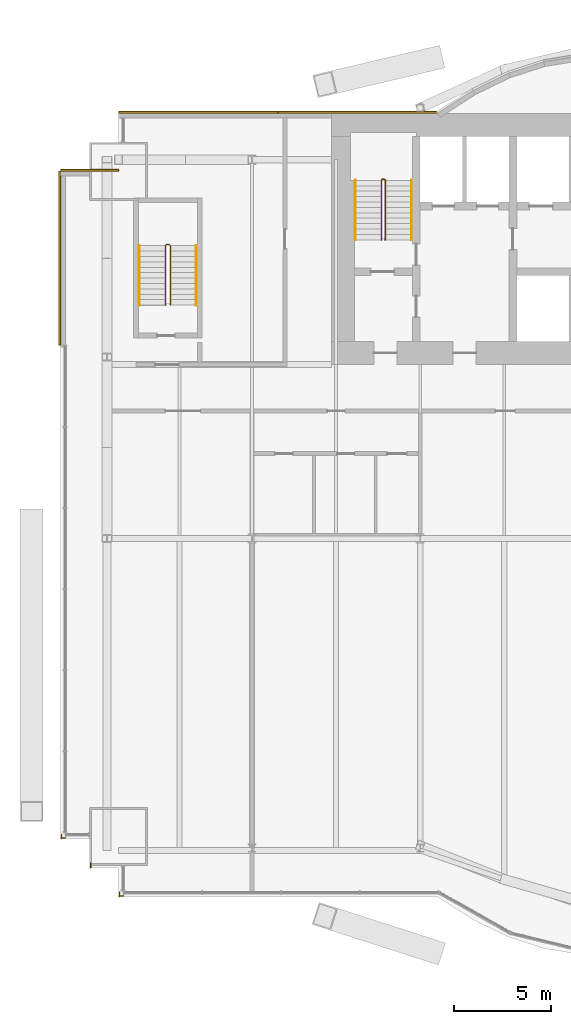
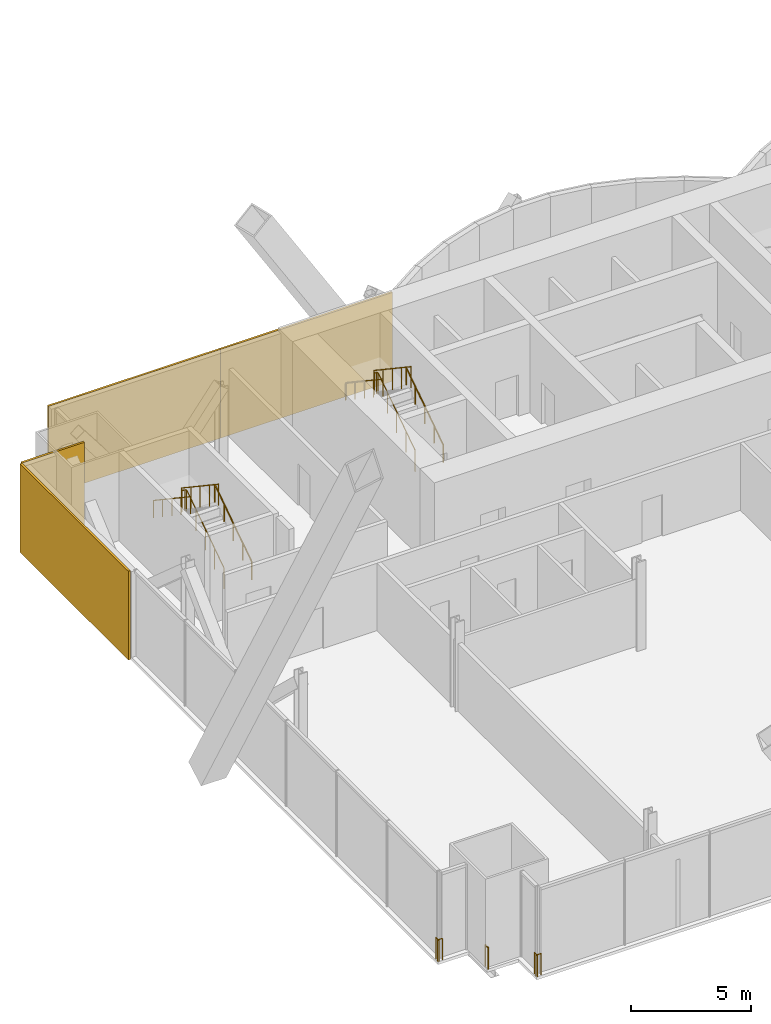
# One storey, part 21 of 23: 9 railings, 4 coverings.
"""IFC4 building model written with IfcOpenShell, lengths in metres."""

from ifc_helpers import new_model, si_unit, direction, frame, origin, origin_2d, place, context, subcontext, project, spatial, rectangle, circle, extrude, material, layer, layer_set, type_object, element, save


model = new_model("IFC4")

# Units and contexts
model_context = context("Model", 3, precision=1e-05, world=origin(), true_north=direction((0.0, 1.0)))
body_context = subcontext(model_context, "Body", "Model", "MODEL_VIEW")
ifc_project = project(units=[si_unit("LENGTHUNIT", "METRE"), si_unit("AREAUNIT", "SQUARE_METRE"), si_unit("VOLUMEUNIT", "CUBIC_METRE"), si_unit("PLANEANGLEUNIT", "RADIAN"), si_unit("MASSUNIT", "GRAM", prefix="KILO")], contexts=[model_context])

# Site, building, storey
site_placement = place(None, origin())
site = spatial("IfcSite", under=ifc_project, at=site_placement, CompositionType="ELEMENT")
building_placement = place(site_placement, origin())
building = spatial("IfcBuilding", under=site, at=building_placement, Name="Bicima Exchange Tower", CompositionType="ELEMENT")
storey_placement = place(building_placement, frame((0.0, 0.0, 62.0)))
storey = spatial("IfcBuildingStorey", under=building, at=storey_placement, Name="L12", CompositionType="ELEMENT", Elevation=62.0)

# Coverings
ifc_material_1 = material(Name="Bronze metal cladding")
ifc_layer_1 = layer(ifc_material_1, 0.004)
ifc_material_2 = material(Name="Ventilated cavity")
ifc_layer_2 = layer(ifc_material_2, 0.06)
ifc_material_3 = material(Name="Galvanised steel rail and mineral wool", Category="steel")
ifc_layer_3 = layer(ifc_material_3, 0.036)
ifc_layer_set = layer_set([ifc_layer_1, ifc_layer_2, ifc_layer_3], Name="Ventilated cavity")
covering_type = type_object("IfcCoveringType", Name="Bronze metal cladding panel 100", PredefinedType="CLADDING", material=ifc_layer_set)
for number, where, z_axis, x_axis, name in (
    (1, (-20.625, 0.050048828125, -0.14990234375), (0.0, 0.0, 1.0), (-1.0, 0.0, 0.0), "Bronze cladding L12 20.1"),
    (2, (-28.875, 0.050048828125, -0.14990234375), (0.0, 0.0, 1.0), (-1.0, 0.0, 0.0), "Bronze cladding L12 20.2"),
):
    element("IfcCovering", number, at=place(storey_placement, frame(where, z_axis=z_axis, x_axis=x_axis)), inside=storey, type_object=covering_type, Name=name, PredefinedType="CLADDING", context=body_context, shape_type="SweptSolid", body=[
        extrude(rectangle(XDim=8.25, YDim=0.10009765625, at=origin_2d()), origin(), (0.0, 0.0, 1.0), 4.5),
    ])
covering_1_placement = place(storey_placement, frame((-34.5, -2.949951171875, -0.14990234375), z_axis=(0.0, 0.0, 1.0), x_axis=(-1.0, 0.0, 0.0)))
element("IfcCovering", 3, at=covering_1_placement, inside=storey, type_object=covering_type, Name="Bronze cladding L12 22.1", PredefinedType="CLADDING", context=body_context, shape_type="SweptSolid", body=[
    extrude(rectangle(XDim=3.0, YDim=0.10009765625, at=origin_2d()), origin(), (0.0, 0.0, 1.0), 4.5),
])
covering_2_placement = place(storey_placement, frame((-36.050048828125, -7.5, -0.14990234375), z_axis=(0.0, 0.0, 1.0), x_axis=(0.0, -1.0, 0.0)))
element("IfcCovering", 4, at=covering_2_placement, inside=storey, type_object=covering_type, Name="Bronze cladding L12 23.1", PredefinedType="CLADDING", context=body_context, shape_type="SweptSolid", body=[
    extrude(rectangle(XDim=9.0, YDim=0.10009765625, at=origin_2d()), origin(), (0.0, 0.0, 1.0), 4.5),
])

# Railings
ifc_material_4 = material(Name="Stainless steel and bonded safety glass", Category="steel")
railing_type_1 = type_object("IfcRailingType", Name="Edge guard 1100", PredefinedType="GUARDRAIL", material=ifc_material_4)
railing_1_placement = place(storey_placement, frame((-35.75, -37.486083984375, 0.0)))
element("IfcRailing", 5, at=railing_1_placement, inside=storey, type_object=railing_type_1, Name="Edge guard L12 51", PredefinedType="GUARDRAIL", context=body_context, shape_type="SweptSolid", body=[
    extrude(circle(Radius=0.02392578125, at=origin_2d()), frame((0.0, 0.0, 1.076171875), z_axis=(-1.0, 0.0, 0.0), x_axis=(0.0, -1.0, 0.0)), (0.0, 0.0, 1.0), 0.25),
    extrude(circle(Radius=0.02392578125, at=origin_2d()), frame((-0.25, 0.0, 1.076171875), z_axis=(0.708833529934, -0.705375805398, 0.0), x_axis=(0.705375805398, 0.708833529934, 0.0)), (0.0, 0.0, 1.0), 0.070556640625),
    extrude(circle(Radius=0.02392578125, at=origin_2d()), frame((-0.199951171875, -0.0498046875, 1.076171875), z_axis=(0.0, 1.0, 0.0), x_axis=(-1.0, 0.0, 0.0)), (0.0, 0.0, 1.0), 0.247802734375),
    extrude(circle(Radius=0.02099609375, at=origin_2d()), origin(), (0.0, 0.0, 1.0), 1.052001953125),
    extrude(circle(Radius=0.02099609375, at=origin_2d()), frame((-0.25, 0.0, 0.0)), (0.0, 0.0, 1.0), 1.052001953125),
    extrude(circle(Radius=0.02099609375, at=origin_2d()), frame((-0.199951171875, -0.0498046875, 0.0)), (0.0, 0.0, 1.0), 1.052001953125),
    extrude(circle(Radius=0.02099609375, at=origin_2d()), frame((-0.199951171875, 0.197998046875, 0.0)), (0.0, 0.0, 1.0), 1.052001953125),
])
railing_2_placement = place(storey_placement, frame((-32.75, -40.486083984375, 0.0)))
element("IfcRailing", 6, at=railing_2_placement, inside=storey, type_object=railing_type_1, Name="Edge guard L12 55", PredefinedType="GUARDRAIL", context=body_context, shape_type="SweptSolid", body=[
    extrude(circle(Radius=0.02392578125, at=origin_2d()), frame((0.0, 0.0, 1.076171875), z_axis=(-1.0, 0.0, 0.0), x_axis=(0.0, -1.0, 0.0)), (0.0, 0.0, 1.0), 0.25),
    extrude(circle(Radius=0.02392578125, at=origin_2d()), frame((-0.25, 0.0, 1.076171875), z_axis=(0.708833529934, -0.705375805398, 0.0), x_axis=(0.705375805398, 0.708833529934, 0.0)), (0.0, 0.0, 1.0), 0.070556640625),
    extrude(circle(Radius=0.02392578125, at=origin_2d()), frame((-0.199951171875, -0.0498046875, 1.076171875), z_axis=(0.0, 1.0, 0.0), x_axis=(-1.0, 0.0, 0.0)), (0.0, 0.0, 1.0), 0.25),
    extrude(circle(Radius=0.02099609375, at=origin_2d()), origin(), (0.0, 0.0, 1.0), 1.052001953125),
    extrude(circle(Radius=0.02099609375, at=origin_2d()), frame((-0.25, 0.0, 0.0)), (0.0, 0.0, 1.0), 1.052001953125),
    extrude(circle(Radius=0.02099609375, at=origin_2d()), frame((-0.199951171875, -0.0498046875, 0.0)), (0.0, 0.0, 1.0), 1.052001953125),
    extrude(circle(Radius=0.02099609375, at=origin_2d()), frame((-0.199951171875, 0.2001953125, 0.0)), (0.0, 0.0, 1.0), 1.052001953125),
])
railing_3_placement = place(storey_placement, frame((-34.449951171875, -39.035888671875, 0.0)))
element("IfcRailing", 7, at=railing_3_placement, inside=storey, type_object=railing_type_1, Name="Edge guard L12 56", PredefinedType="GUARDRAIL", context=body_context, shape_type="SweptSolid", body=[
    extrude(circle(Radius=0.02392578125, at=origin_2d()), frame((0.0, 0.0, 1.076171875), z_axis=(0.0, 1.0, 0.0), x_axis=(-1.0, 0.0, 0.0)), (0.0, 0.0, 1.0), 0.25),
    extrude(circle(Radius=0.02099609375, at=origin_2d()), origin(), (0.0, 0.0, 1.0), 1.052001953125),
    extrude(circle(Radius=0.02099609375, at=origin_2d()), frame((0.0, 0.25, 0.0)), (0.0, 0.0, 1.0), 1.052001953125),
])
ifc_material_5 = material(Name="Stainless steel", Category="steel")
railing_type_2 = type_object("IfcRailingType", Name="Stair guard 1100", PredefinedType="GUARDRAIL", material=ifc_material_5)
railing_4_placement = place(storey_placement, frame((-19.199951171875, -6.550048828125, 0.1875)))
element("IfcRailing", 8, at=railing_4_placement, inside=storey, type_object=railing_type_2, Name="L12 ST-W stair guard 1", PredefinedType="GUARDRAIL", context=body_context, shape_type="SweptSolid", body=[
    extrude(circle(Radius=0.02392578125, at=origin_2d()), frame((0.0, 0.0, 1.076171875), z_axis=(0.0, 0.830913701846, 0.55640131208), x_axis=(-1.0, 0.0, 0.0)), (0.0, 0.0, 1.0), 3.706787109375),
    extrude(circle(Radius=0.02392578125, at=origin_2d()), frame((0.0, 3.080078125, 3.138671875), z_axis=(-0.707106781187, 0.707106781187, 0.0), x_axis=(-0.707106781187, -0.707106781187, 0.0)), (0.0, 0.0, 1.0), 0.07080078125),
    extrude(circle(Radius=0.02392578125, at=origin_2d()), frame((-0.050048828125, 3.130126953125, 3.138671875), z_axis=(-1.0, 0.0, 0.0), x_axis=(0.0, -1.0, 0.0)), (0.0, 0.0, 1.0), 0.10009765625),
    extrude(circle(Radius=0.02392578125, at=origin_2d()), frame((-0.150146484375, 3.130126953125, 3.138671875), z_axis=(-0.248583702486, -0.249802250048, 0.935844527007), x_axis=(0.708833529934, -0.705375805398, 0.0)), (0.0, 0.0, 1.0), 0.200439453125),
    extrude(circle(Radius=0.02392578125, at=origin_2d()), frame((-0.199951171875, 3.080078125, 3.326171875), z_axis=(0.0, -0.830913701846, 0.55640131208), x_axis=(1.0, 0.0, 0.0)), (0.0, 0.0, 1.0), 3.706787109375),
    extrude(circle(Radius=0.02099609375, at=origin_2d()), origin(), (0.0, 0.0, 1.0), 1.052001953125),
    extrude(circle(Radius=0.02099609375, at=origin_2d()), frame((0.0, 0.77001953125, 0.515625)), (0.0, 0.0, 1.0), 1.052001953125),
    extrude(circle(Radius=0.02099609375, at=origin_2d()), frame((0.0, 1.5400390625, 1.03125)), (0.0, 0.0, 1.0), 1.052001953125),
    extrude(circle(Radius=0.02099609375, at=origin_2d()), frame((0.0, 2.31005859375, 1.546875)), (0.0, 0.0, 1.0), 1.052001953125),
    extrude(circle(Radius=0.02099609375, at=origin_2d()), frame((0.0, 3.080078125, 2.0625)), (0.0, 0.0, 1.0), 1.052001953125),
    extrude(circle(Radius=0.02099609375, at=origin_2d()), frame((-0.050048828125, 3.130126953125, 2.0625)), (0.0, 0.0, 1.0), 1.052001953125),
    extrude(circle(Radius=0.02099609375, at=origin_2d()), frame((-0.150146484375, 3.130126953125, 2.0625)), (0.0, 0.0, 1.0), 1.052001953125),
    extrude(circle(Radius=0.02099609375, at=origin_2d()), frame((-0.199951171875, 3.080078125, 2.25)), (0.0, 0.0, 1.0), 1.052001953125),
    extrude(circle(Radius=0.02099609375, at=origin_2d()), frame((-0.199951171875, 2.31005859375, 2.765625)), (0.0, 0.0, 1.0), 1.052001953125),
    extrude(circle(Radius=0.02099609375, at=origin_2d()), frame((-0.199951171875, 1.5400390625, 3.28125)), (0.0, 0.0, 1.0), 1.052001953125),
    extrude(circle(Radius=0.02099609375, at=origin_2d()), frame((-0.199951171875, 0.77001953125, 3.796875)), (0.0, 0.0, 1.0), 1.052001953125),
    extrude(circle(Radius=0.02099609375, at=origin_2d()), frame((-0.199951171875, 0.0, 4.3125)), (0.0, 0.0, 1.0), 1.052001953125),
])
railing_5_placement = place(storey_placement, frame((-30.324951171875, -9.925048828125, 0.1875)))
element("IfcRailing", 9, at=railing_5_placement, inside=storey, type_object=railing_type_2, Name="L12 ST-WW stair guard 1", PredefinedType="GUARDRAIL", context=body_context, shape_type="SweptSolid", body=[
    extrude(circle(Radius=0.02392578125, at=origin_2d()), frame((0.0, 0.0, 1.076171875), z_axis=(0.0, 0.830913701846, 0.55640131208), x_axis=(-1.0, 0.0, 0.0)), (0.0, 0.0, 1.0), 3.706787109375),
    extrude(circle(Radius=0.02392578125, at=origin_2d()), frame((0.0, 3.080078125, 3.138671875), z_axis=(-0.707106781187, 0.707106781187, 0.0), x_axis=(-0.707106781187, -0.707106781187, 0.0)), (0.0, 0.0, 1.0), 0.07080078125),
    extrude(circle(Radius=0.02392578125, at=origin_2d()), frame((-0.050048828125, 3.130126953125, 3.138671875), z_axis=(-1.0, 0.0, 0.0), x_axis=(0.0, -1.0, 0.0)), (0.0, 0.0, 1.0), 0.14990234375),
    extrude(circle(Radius=0.02392578125, at=origin_2d()), frame((-0.199951171875, 3.130126953125, 3.138671875), z_axis=(-0.249726431254, -0.249726431254, 0.935560483917), x_axis=(0.707106781187, -0.707106781187, 0.0)), (0.0, 0.0, 1.0), 0.200439453125),
    extrude(circle(Radius=0.02392578125, at=origin_2d()), frame((-0.25, 3.080078125, 3.326171875), z_axis=(0.0, -0.830913701846, 0.55640131208), x_axis=(1.0, 0.0, 0.0)), (0.0, 0.0, 1.0), 3.706787109375),
    extrude(circle(Radius=0.02099609375, at=origin_2d()), origin(), (0.0, 0.0, 1.0), 1.052001953125),
    extrude(circle(Radius=0.02099609375, at=origin_2d()), frame((0.0, 0.77001953125, 0.515625)), (0.0, 0.0, 1.0), 1.052001953125),
    extrude(circle(Radius=0.02099609375, at=origin_2d()), frame((0.0, 1.5400390625, 1.03125)), (0.0, 0.0, 1.0), 1.052001953125),
    extrude(circle(Radius=0.02099609375, at=origin_2d()), frame((0.0, 2.31005859375, 1.546875)), (0.0, 0.0, 1.0), 1.052001953125),
    extrude(circle(Radius=0.02099609375, at=origin_2d()), frame((0.0, 3.080078125, 2.0625)), (0.0, 0.0, 1.0), 1.052001953125),
    extrude(circle(Radius=0.02099609375, at=origin_2d()), frame((-0.050048828125, 3.130126953125, 2.0625)), (0.0, 0.0, 1.0), 1.052001953125),
    extrude(circle(Radius=0.02099609375, at=origin_2d()), frame((-0.199951171875, 3.130126953125, 2.0625)), (0.0, 0.0, 1.0), 1.052001953125),
    extrude(circle(Radius=0.02099609375, at=origin_2d()), frame((-0.25, 3.080078125, 2.25)), (0.0, 0.0, 1.0), 1.052001953125),
    extrude(circle(Radius=0.02099609375, at=origin_2d()), frame((-0.25, 2.31005859375, 2.765625)), (0.0, 0.0, 1.0), 1.052001953125),
    extrude(circle(Radius=0.02099609375, at=origin_2d()), frame((-0.25, 1.5400390625, 3.28125)), (0.0, 0.0, 1.0), 1.052001953125),
    extrude(circle(Radius=0.02099609375, at=origin_2d()), frame((-0.25, 0.77001953125, 3.796875)), (0.0, 0.0, 1.0), 1.052001953125),
    extrude(circle(Radius=0.02099609375, at=origin_2d()), frame((-0.25, 0.0, 4.3125)), (0.0, 0.0, 1.0), 1.052001953125),
])
railing_type_3 = type_object("IfcRailingType", Name="Stair handrail 900", PredefinedType="HANDRAIL", material=ifc_material_5)
railing_6_placement = place(storey_placement, frame((-17.85009765625, -6.550048828125, 0.1875)))
element("IfcRailing", 10, at=railing_6_placement, inside=storey, type_object=railing_type_3, Name="L12 ST-W stair handrail 1", PredefinedType="HANDRAIL", context=body_context, shape_type="SweptSolid", body=[
    extrude(circle(Radius=0.02392578125, at=origin_2d()), frame((0.0, 0.0, 0.8759765625), z_axis=(0.0, 0.830913701846, 0.55640131208), x_axis=(-1.0, 0.0, 0.0)), (0.0, 0.0, 1.0), 3.706787109375),
    extrude(circle(Radius=0.02099609375, at=origin_2d()), origin(), (0.0, 0.0, 1.0), 0.851806640625),
    extrude(circle(Radius=0.02099609375, at=origin_2d()), frame((0.0, 0.77001953125, 0.515625)), (0.0, 0.0, 1.0), 0.851806640625),
    extrude(circle(Radius=0.02099609375, at=origin_2d()), frame((0.0, 1.5400390625, 1.03125)), (0.0, 0.0, 1.0), 0.851806640625),
    extrude(circle(Radius=0.02099609375, at=origin_2d()), frame((0.0, 2.31005859375, 1.546875)), (0.0, 0.0, 1.0), 0.851806640625),
    extrude(circle(Radius=0.02099609375, at=origin_2d()), frame((0.0, 3.080078125, 2.0625)), (0.0, 0.0, 1.0), 0.851806640625),
])
railing_7_placement = place(storey_placement, frame((-20.75, -3.469970703125, 2.47900390625)))
element("IfcRailing", 11, at=railing_7_placement, inside=storey, type_object=railing_type_3, Name="L12 ST-W stair handrail 2", PredefinedType="HANDRAIL", context=body_context, shape_type="SweptSolid", body=[
    extrude(circle(Radius=0.02392578125, at=origin_2d()), frame((0.0, 0.0, 0.8759765625), z_axis=(0.0, -0.830913701846, 0.55640131208), x_axis=(1.0, 0.0, 0.0)), (0.0, 0.0, 1.0), 3.706787109375),
    extrude(circle(Radius=0.02099609375, at=origin_2d()), origin(), (0.0, 0.0, 1.0), 0.851806640625),
    extrude(circle(Radius=0.02099609375, at=origin_2d()), frame((0.0, -0.77001953125, 0.515625)), (0.0, 0.0, 1.0), 0.851806640625),
    extrude(circle(Radius=0.02099609375, at=origin_2d()), frame((0.0, -1.5400390625, 1.03125)), (0.0, 0.0, 1.0), 0.851806640625),
    extrude(circle(Radius=0.02099609375, at=origin_2d()), frame((0.0, -2.31005859375, 1.546875)), (0.0, 0.0, 1.0), 0.851806640625),
    extrude(circle(Radius=0.02099609375, at=origin_2d()), frame((0.0, -3.080078125, 2.0625)), (0.0, 0.0, 1.0), 0.851806640625),
])
railing_8_placement = place(storey_placement, frame((-28.97509765625, -9.925048828125, 0.1875)))
element("IfcRailing", 12, at=railing_8_placement, inside=storey, type_object=railing_type_3, Name="L12 ST-WW stair handrail 1", PredefinedType="HANDRAIL", context=body_context, shape_type="SweptSolid", body=[
    extrude(circle(Radius=0.02392578125, at=origin_2d()), frame((0.0, 0.0, 0.8759765625), z_axis=(0.0, 0.830913701846, 0.55640131208), x_axis=(-1.0, 0.0, 0.0)), (0.0, 0.0, 1.0), 3.706787109375),
    extrude(circle(Radius=0.02099609375, at=origin_2d()), origin(), (0.0, 0.0, 1.0), 0.851806640625),
    extrude(circle(Radius=0.02099609375, at=origin_2d()), frame((0.0, 0.77001953125, 0.515625)), (0.0, 0.0, 1.0), 0.851806640625),
    extrude(circle(Radius=0.02099609375, at=origin_2d()), frame((0.0, 1.5400390625, 1.03125)), (0.0, 0.0, 1.0), 0.851806640625),
    extrude(circle(Radius=0.02099609375, at=origin_2d()), frame((0.0, 2.31005859375, 1.546875)), (0.0, 0.0, 1.0), 0.851806640625),
    extrude(circle(Radius=0.02099609375, at=origin_2d()), frame((0.0, 3.080078125, 2.0625)), (0.0, 0.0, 1.0), 0.851806640625),
])
railing_9_placement = place(storey_placement, frame((-31.925048828125, -6.844970703125, 2.47900390625)))
element("IfcRailing", 13, at=railing_9_placement, inside=storey, type_object=railing_type_3, Name="L12 ST-WW stair handrail 2", PredefinedType="HANDRAIL", context=body_context, shape_type="SweptSolid", body=[
    extrude(circle(Radius=0.02392578125, at=origin_2d()), frame((0.0, 0.0, 0.8759765625), z_axis=(0.0, -0.830913701846, 0.55640131208), x_axis=(1.0, 0.0, 0.0)), (0.0, 0.0, 1.0), 3.706787109375),
    extrude(circle(Radius=0.02099609375, at=origin_2d()), origin(), (0.0, 0.0, 1.0), 0.851806640625),
    extrude(circle(Radius=0.02099609375, at=origin_2d()), frame((0.0, -0.77001953125, 0.515625)), (0.0, 0.0, 1.0), 0.851806640625),
    extrude(circle(Radius=0.02099609375, at=origin_2d()), frame((0.0, -1.5400390625, 1.03125)), (0.0, 0.0, 1.0), 0.851806640625),
    extrude(circle(Radius=0.02099609375, at=origin_2d()), frame((0.0, -2.31005859375, 1.546875)), (0.0, 0.0, 1.0), 0.851806640625),
    extrude(circle(Radius=0.02099609375, at=origin_2d()), frame((0.0, -3.080078125, 2.0625)), (0.0, 0.0, 1.0), 0.851806640625),
])

save(model, "model.ifc")
